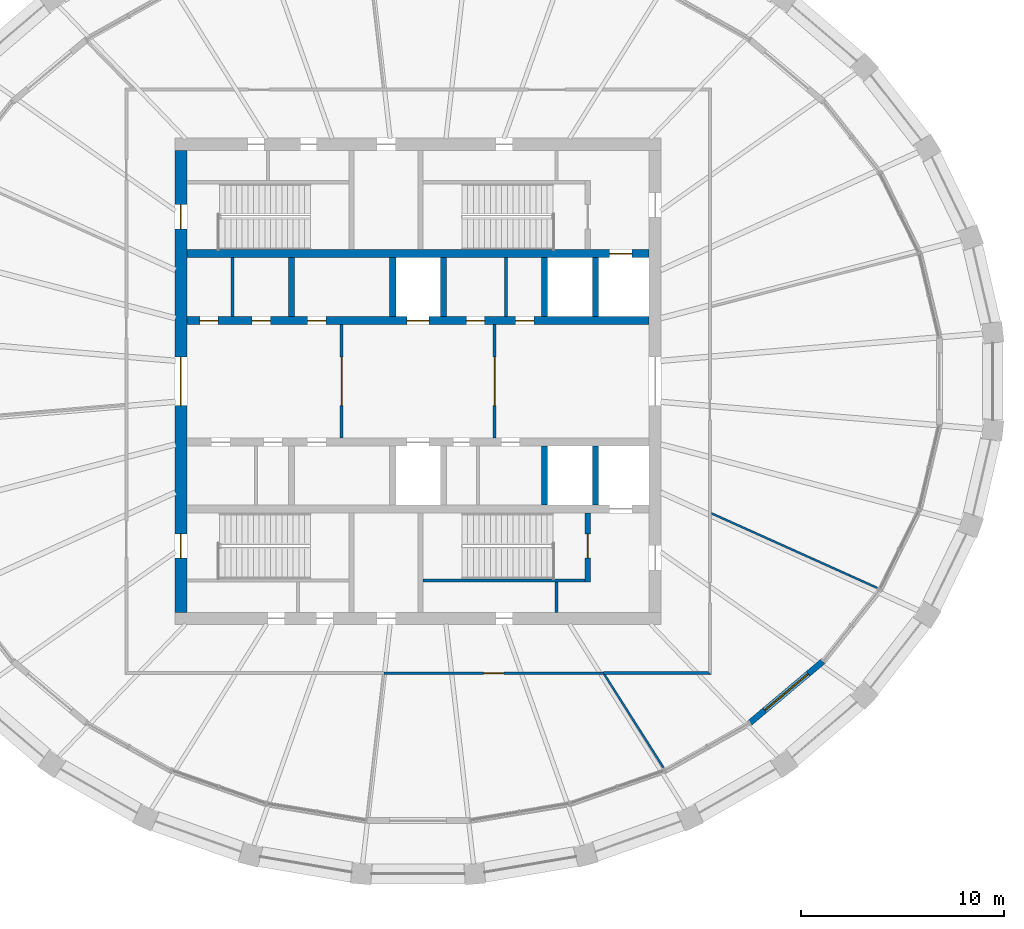
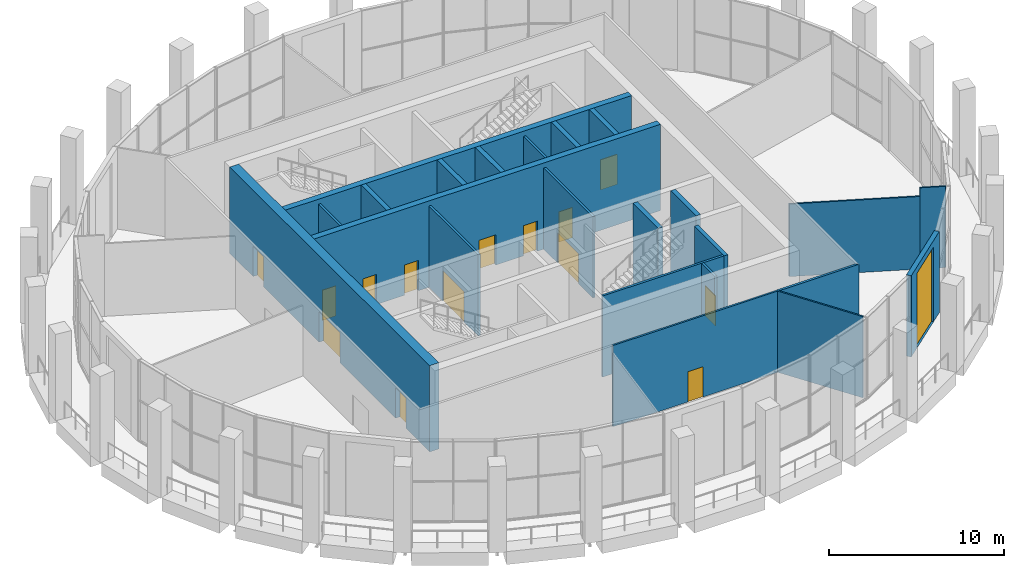
# One storey, part 11 of 15: 23 walls, 15 doors, 15 openings.
"""IFC4 building model written with IfcOpenShell, lengths in metres."""

from ifc_helpers import new_model, si_unit, direction, frame, frame_2d, origin, place, context, subcontext, project, spatial, polyline, rectangle, outline, extrude, material, layer, layer_set, type_object, element, fill, save


model = new_model("IFC4")

# Units and contexts
model_context = context("Model", 3, precision=1e-05, world=origin(), true_north=direction((0.0, 1.0)))
body_context = subcontext(model_context, "Body", "Model", "MODEL_VIEW")
ifc_project = project(units=[si_unit("LENGTHUNIT", "METRE"), si_unit("AREAUNIT", "SQUARE_METRE"), si_unit("VOLUMEUNIT", "CUBIC_METRE"), si_unit("PLANEANGLEUNIT", "RADIAN"), si_unit("MASSUNIT", "GRAM", prefix="KILO")], contexts=[model_context])

# Site, building, storey
site_placement = place(None, origin())
site = spatial("IfcSite", under=ifc_project, at=site_placement, CompositionType="ELEMENT")
building_placement = place(site_placement, origin())
building = spatial("IfcBuilding", under=site, at=building_placement, Name="Halqa Exchange Tower", CompositionType="ELEMENT")
storey_placement = place(building_placement, frame((0.0, 0.0, 343.300048828125)))
storey = spatial("IfcBuildingStorey", under=building, at=storey_placement, Name="L80", CompositionType="ELEMENT", Elevation=343.300048828125)

# Wall
ifc_material_1 = material(Name="Fire-rated gypsum board")
ifc_layer_1 = layer(ifc_material_1, 0.14990234375)
ifc_layer_set_1 = layer_set([ifc_layer_1], Name="Fire-rated gypsum board")
wall_type_1 = type_object("IfcWallType", Name="Fire partition EI 60 150", PredefinedType="PARTITIONING", material=ifc_layer_set_1)
wall_1_placement = place(storey_placement, frame((14.47509765625, -14.39990234375, 0.0), z_axis=(0.0, 0.0, 1.0), x_axis=(-1.0, 0.0, 0.0)))
element("IfcWall", 1, at=wall_1_placement, inside=storey, type_object=wall_type_1, Name="L80-PWL-011", PredefinedType="PARTITIONING", context=body_context, shape_type="SweptSolid", body=[
    extrude(outline(polyline([(5.3251953125, 0.074951171875), (3.55029296875, 0.074951171875), (1.775146484375, 0.074951171875), (0.000244140625, 0.074951171875), (0.150146484375, -0.074951171875), (1.875244140625, -0.074951171875), (3.60009765625, -0.074951171875), (5.3251953125, -0.074951171875), (5.3251953125, 0.074951171875)])), origin(), (0.0, 0.0, 1.0), 5.64990234375),
])

# Wall, opening, door
ifc_material_2 = material(Name="Fire-rated glazing", Category="glass")
ifc_layer_2 = layer(ifc_material_2, 0.1201171875)
ifc_layer_set_2 = layer_set([ifc_layer_2], Name="Fire-rated glazing")
wall_type_2 = type_object("IfcWallType", Name="Glazed fire partition EI 60 120", PredefinedType="PARTITIONING", material=ifc_layer_set_2)
wall_2_placement = place(storey_placement, frame((9.14990234375, -14.39990234375, 0.0), z_axis=(0.0, 0.0, 1.0), x_axis=(-1.0, 0.0, 0.0)))
wall_2 = element("IfcWall", 2, at=wall_2_placement, inside=storey, type_object=wall_type_2, Name="L80-PWL-009", PredefinedType="PARTITIONING", context=body_context, shape_type="SweptSolid", body=[
    extrude(rectangle(XDim=10.83984375, YDim=0.1201171875, at=frame_2d((5.419921875, 0.0))), origin(), (0.0, 0.0, 1.0), 5.64990234375),
])
opening_1_placement = place(wall_2_placement, frame((4.919921875, 0.0, 0.0)))
opening_1 = element("IfcOpeningElement", 3, at=opening_1_placement, cuts=wall_2, Name="Opening L80-06", PredefinedType="OPENING", context=body_context, shape_type="SweptSolid", body=[
    extrude(rectangle(XDim=1.0, YDim=2.10009765625, at=frame_2d((0.5, 1.050048828125))), frame((0.0, 0.072021484375, 0.0), z_axis=(0.0, -1.0, 0.0), x_axis=(1.0, 0.0, 0.0)), (0.0, 0.0, 1.0), 0.14404296875),
])
ifc_material_3 = material(Name="Steel fire door leaf", Category="steel")
door_type_1 = type_object("IfcDoorType", Name="Fire door FD30S 1000 x 2100", OperationType="SINGLE_SWING_LEFT", PredefinedType="DOOR", material=ifc_material_3)
door_1_placement = place(opening_1_placement, origin())
door_1 = element("IfcDoor", 4, at=door_1_placement, inside=storey, type_object=door_type_1, Name="L80-IDR-006", OperationType="SINGLE_SWING_LEFT", OverallHeight=2.10009765625, OverallWidth=1.0, PredefinedType="DOOR", context=body_context, shape_type="SweptSolid", body=[
    extrude(rectangle(XDim=1.0, YDim=2.10009765625, at=frame_2d((0.5, 1.050048828125))), frame((0.0, 0.02490234375, 0.0), z_axis=(0.0, -1.0, 0.0), x_axis=(1.0, 0.0, 0.0)), (0.0, 0.0, 1.0), 0.050048828125),
])
fill(opening_1, door_1)

# Walls
ifc_material_4 = material(Name="Gypsum board")
ifc_layer_3 = layer(ifc_material_4, 0.10009765625)
ifc_layer_set_3 = layer_set([ifc_layer_3], Name="Gypsum board")
wall_type_3 = type_object("IfcWallType", Name="Partition 100 gypsum", PredefinedType="PARTITIONING", material=ifc_layer_set_3)
wall_3_placement = place(storey_placement, frame((9.171142578125, -14.433349609375, 0.0), z_axis=(0.0, 0.0, 1.0), x_axis=(0.535999066998, -0.844218573698, 0.0)))
element("IfcWall", 5, at=wall_3_placement, inside=storey, type_object=wall_type_3, Name="L80-PWL-010", PredefinedType="PARTITIONING", context=body_context, shape_type="SweptSolid", body=[
    extrude(outline(polyline([(5.4814453125, 0.050048828125), (3.681396484375, 0.050048828125), (1.881103515625, 0.050048828125), (0.0810546875, 0.050048828125), (0.02392578125, -0.040283203125), (0.01123046875, -0.0322265625), (0.0, -0.0498046875), (0.0, -0.050048828125), (1.8271484375, -0.050048828125), (3.654296875, -0.050048828125), (5.4814453125, -0.050048828125), (5.4814453125, 0.050048828125)])), origin(), (0.0, 0.0, 1.0), 5.64990234375),
])
wall_4_placement = place(storey_placement, frame((14.45458984375, -6.504638671875, 0.0), z_axis=(0.0, 0.0, 1.0), x_axis=(0.912053465354, -0.410071306403, 0.0)))
element("IfcWall", 6, at=wall_4_placement, inside=storey, type_object=wall_type_3, Name="L80-PWL-013", PredefinedType="PARTITIONING", context=body_context, shape_type="SweptSolid", body=[
    extrude(outline(polyline([(0.0, 0.050048828125), (0.0, 0.0498046875), (0.044921875, -0.050048828125), (1.910888671875, -0.050048828125), (3.777099609375, -0.050048828125), (5.64306640625, -0.050048828125), (7.50927734375, -0.050048828125), (7.50927734375, 0.050048828125), (5.6318359375, 0.050048828125), (3.754638671875, 0.050048828125), (1.87744140625, 0.050048828125), (0.0, 0.050048828125)])), origin(), (0.0, 0.0, 1.0), 5.050048828125),
])
wall_5_placement = place(storey_placement, frame((21.303466796875, -9.583984375, 0.0), z_axis=(0.0, 0.0, 1.0), x_axis=(0.911976522447, -0.410242394816, 0.0)))
element("IfcWall", 7, at=wall_5_placement, inside=storey, type_object=wall_type_3, Name="L80-PWL-016", PredefinedType="PARTITIONING", context=body_context, shape_type="SweptSolid", body=[
    extrude(outline(polyline([(0.0, -0.050048828125), (1.480224609375, -0.050048828125), (1.492919921875, 0.000732421875), (1.494384765625, 0.040771484375), (1.494384765625, 0.050048828125), (0.0, 0.050048828125), (0.0, -0.050048828125)])), origin(), (0.0, 0.0, 1.0), 5.64990234375),
])
ifc_layer_4 = layer(ifc_material_4, 0.14990234375)
ifc_layer_set_4 = layer_set([ifc_layer_4], Name="Gypsum board")
wall_type_4 = type_object("IfcWallType", Name="Penthouse riser wall 150 gypsum", PredefinedType="PARTITIONING", material=ifc_layer_set_4)
wall_6_placement = place(storey_placement, frame((6.824951171875, -11.39990234375, 0.0), z_axis=(0.0, 0.0, 1.0), x_axis=(0.0, 1.0, 0.0)))
element("IfcWall", 8, at=wall_6_placement, inside=storey, type_object=wall_type_4, Name="Firefighting lobby west wall S", PredefinedType="PARTITIONING", context=body_context, shape_type="SweptSolid", body=[
    extrude(rectangle(XDim=1.5, YDim=0.14990234375, at=frame_2d((0.75, 0.0))), origin(), (0.0, 0.0, 1.0), 5.64990234375),
])
for number, where, z_axis, x_axis, name in (
    (9, (4.35009765625, 3.199951171875, 0.0), (0.0, 0.0, 1.0), (0.0, 1.0, 0.0), "Freed bay partition NE4.350"),
    (10, (-9.14990234375, 3.199951171875, 0.0), (0.0, 0.0, 1.0), (0.0, 1.0, 0.0), "Freed bay partition NW9.150"),
):
    element("IfcWall", number, at=place(storey_placement, frame(where, z_axis=z_axis, x_axis=x_axis)), inside=storey, type_object=wall_type_4, Name=name, PredefinedType="PARTITIONING", context=body_context, shape_type="SweptSolid", body=[
        extrude(rectangle(XDim=2.900146484375, YDim=0.14990234375, at=frame_2d((1.4501953125, 0.0))), origin(), (0.0, 0.0, 1.0), 5.64990234375),
    ])

# Wall, opening, door
wall_7_placement = place(storey_placement, frame((-3.77490234375, -2.800048828125, 0.0), z_axis=(0.0, 0.0, 1.0), x_axis=(0.0, 1.0, 0.0)))
wall_7 = element("IfcWall", 11, at=wall_7_placement, inside=storey, type_object=wall_type_4, Name="Observation lobby partition west", PredefinedType="PARTITIONING", context=body_context, shape_type="SweptSolid", body=[
    extrude(rectangle(XDim=5.60009765625, YDim=0.14990234375, at=frame_2d((2.800048828125, 0.0))), origin(), (0.0, 0.0, 1.0), 5.64990234375),
])
opening_2_placement = place(wall_7_placement, frame((1.60009765625, 0.0, 0.0)))
opening_2 = element("IfcOpeningElement", 12, at=opening_2_placement, cuts=wall_7, Name="Opening L80-C07", PredefinedType="OPENING", context=body_context, shape_type="SweptSolid", body=[
    extrude(rectangle(XDim=2.39990234375, YDim=2.10009765625, at=frame_2d((1.199951171875, 1.050048828125))), frame((0.0, 0.0869140625, 0.0), z_axis=(0.0, -1.0, 0.0), x_axis=(1.0, 0.0, 0.0)), (0.0, 0.0, 1.0), 0.173828125),
])
door_type_2 = type_object("IfcDoorType", Name="Lobby double door FD60 2400 x 2100", OperationType="DOUBLE_DOOR_SINGLE_SWING", PredefinedType="DOOR", material=ifc_material_3)
door_2_placement = place(opening_2_placement, frame((2.39990234375, 0.0, 0.0), z_axis=(0.0, 0.0, 1.0), x_axis=(-1.0, 0.0, 0.0)))
door_2 = element("IfcDoor", 13, at=door_2_placement, inside=storey, type_object=door_type_2, Name="Lift lobby double door", OperationType="DOUBLE_DOOR_SINGLE_SWING", OverallHeight=2.10009765625, OverallWidth=2.39990234375, PredefinedType="DOOR", context=body_context, shape_type="SweptSolid", body=[
    extrude(rectangle(XDim=2.39990234375, YDim=2.10009765625, at=frame_2d((1.199951171875, 1.050048828125))), frame((0.0, 0.02490234375, 0.0), z_axis=(0.0, -1.0, 0.0), x_axis=(1.0, 0.0, 0.0)), (0.0, 0.0, 1.0), 0.050048828125),
])
fill(opening_2, door_2)

wall_8_placement = place(storey_placement, frame((3.77490234375, -2.800048828125, 0.0), z_axis=(0.0, 0.0, 1.0), x_axis=(0.0, 1.0, 0.0)))
wall_8 = element("IfcWall", 14, at=wall_8_placement, inside=storey, type_object=wall_type_4, Name="Observation lobby partition east", PredefinedType="PARTITIONING", context=body_context, shape_type="SweptSolid", body=[
    extrude(rectangle(XDim=5.60009765625, YDim=0.14990234375, at=frame_2d((2.800048828125, 0.0))), origin(), (0.0, 0.0, 1.0), 5.64990234375),
])
opening_3_placement = place(wall_8_placement, frame((1.60009765625, 0.0, 0.0)))
opening_3 = element("IfcOpeningElement", 15, at=opening_3_placement, cuts=wall_8, Name="Opening L80-C08", PredefinedType="OPENING", context=body_context, shape_type="SweptSolid", body=[
    extrude(rectangle(XDim=2.39990234375, YDim=2.10009765625, at=frame_2d((1.199951171875, 1.050048828125))), frame((0.0, 0.0869140625, 0.0), z_axis=(0.0, -1.0, 0.0), x_axis=(1.0, 0.0, 0.0)), (0.0, 0.0, 1.0), 0.173828125),
])
door_3_placement = place(opening_3_placement, origin())
door_3 = element("IfcDoor", 16, at=door_3_placement, inside=storey, type_object=door_type_2, Name="Lift lobby double door", OperationType="DOUBLE_DOOR_SINGLE_SWING", OverallHeight=2.10009765625, OverallWidth=2.39990234375, PredefinedType="DOOR", context=body_context, shape_type="SweptSolid", body=[
    extrude(rectangle(XDim=2.39990234375, YDim=2.10009765625, at=frame_2d((1.199951171875, 1.050048828125))), frame((0.0, 0.02490234375, 0.0), z_axis=(0.0, -1.0, 0.0), x_axis=(1.0, 0.0, 0.0)), (0.0, 0.0, 1.0), 0.050048828125),
])
fill(opening_3, door_3)

# Walls
ifc_material_5 = material(Name="Concrete C60/75", Category="concrete")
ifc_layer_5 = layer(ifc_material_5, 0.300048828125)
ifc_layer_set_5 = layer_set([ifc_layer_5], Name="Concrete C60/75")
wall_type_5 = type_object("IfcWallType", Name="RC core wall 300", PredefinedType="SHEAR", material=ifc_layer_set_5)
for number, where, z_axis, x_axis, name in (
    (17, (-6.25, 3.199951171875, 0.0), (0.0, 0.0, 1.0), (0.0, 1.0, 0.0), "Shaft divider N2"),
    (18, (-1.25, 3.199951171875, 0.0), (0.0, 0.0, 1.0), (0.0, 1.0, 0.0), "Shaft divider N4"),
    (19, (1.25, 3.199951171875, 0.0), (0.0, 0.0, 1.0), (0.0, 1.0, 0.0), "Shaft divider N5"),
    (20, (6.25, 3.199951171875, 0.0), (0.0, 0.0, 1.0), (0.0, 1.0, 0.0), "Shaft divider N7"),
    (21, (8.75, 3.199951171875, 0.0), (0.0, 0.0, 1.0), (0.0, 1.0, 0.0), "Shaft divider N8"),
    (22, (6.25, -6.10009765625, 0.0), (0.0, 0.0, 1.0), (0.0, 1.0, 0.0), "Shaft divider S7"),
    (23, (8.75, -6.10009765625, 0.0), (0.0, 0.0, 1.0), (0.0, 1.0, 0.0), "Shaft divider S8"),
):
    element("IfcWall", number, at=place(storey_placement, frame(where, z_axis=z_axis, x_axis=x_axis)), inside=storey, type_object=wall_type_5, Name=name, PredefinedType="SHEAR", context=body_context, shape_type="SweptSolid", body=[
        extrude(rectangle(XDim=2.900146484375, YDim=0.300048828125, at=frame_2d((1.4501953125, 0.0))), origin(), (0.0, 0.0, 1.0), 6.0),
    ])

# Wall, openings, doors
ifc_layer_6 = layer(ifc_material_5, 0.39990234375)
ifc_layer_set_6 = layer_set([ifc_layer_6], Name="Concrete C60/75")
wall_type_6 = type_object("IfcWallType", Name="RC core wall 400 C60/75", PredefinedType="SHEAR", material=ifc_layer_set_6)
wall_9_placement = place(storey_placement, frame((-11.39990234375, 3.0, 0.0), z_axis=(0.0, 0.0, 1.0), x_axis=(1.0, 0.0, 0.0)))
wall_9 = element("IfcWall", 24, at=wall_9_placement, inside=storey, type_object=wall_type_6, Name="Lift row front wall N", PredefinedType="SHEAR", context=body_context, shape_type="SweptSolid", body=[
    extrude(rectangle(XDim=22.7998046875, YDim=0.39990234375, at=frame_2d((11.39990234375, 0.0))), origin(), (0.0, 0.0, 1.0), 6.0),
])
opening_4_placement = place(wall_9_placement, frame((10.85009765625, 0.0, 0.0)))
opening_4 = element("IfcOpeningElement", 25, at=opening_4_placement, cuts=wall_9, Name="Opening LD-OB1-L80", PredefinedType="OPENING", context=body_context, shape_type="SweptSolid", body=[
    extrude(rectangle(XDim=1.10009765625, YDim=2.10009765625, at=frame_2d((0.550048828125, 1.050048828125))), frame((0.0, 0.2119140625, 0.0), z_axis=(0.0, -1.0, 0.0), x_axis=(1.0, 0.0, 0.0)), (0.0, 0.0, 1.0), 0.423828125),
])
opening_5_placement = place(wall_9_placement, frame((13.78759765625, 0.0, 0.0)))
opening_5 = element("IfcOpeningElement", 26, at=opening_5_placement, cuts=wall_9, Name="Opening L80-C23", PredefinedType="OPENING", context=body_context, shape_type="SweptSolid", body=[
    extrude(rectangle(XDim=0.89990234375, YDim=2.10009765625, at=frame_2d((0.449951171875, 1.050048828125))), frame((0.0, 0.2119140625, 0.0), z_axis=(0.0, -1.0, 0.0), x_axis=(1.0, 0.0, 0.0)), (0.0, 0.0, 1.0), 0.423828125),
])
opening_6_placement = place(wall_9_placement, frame((16.21240234375, 0.0, 0.0)))
opening_6 = element("IfcOpeningElement", 27, at=opening_6_placement, cuts=wall_9, Name="Opening L80-C24", PredefinedType="OPENING", context=body_context, shape_type="SweptSolid", body=[
    extrude(rectangle(XDim=0.89990234375, YDim=2.10009765625, at=frame_2d((0.449951171875, 1.050048828125))), frame((0.0, 0.2119140625, 0.0), z_axis=(0.0, -1.0, 0.0), x_axis=(1.0, 0.0, 0.0)), (0.0, 0.0, 1.0), 0.423828125),
])
opening_7_placement = place(wall_9_placement, frame((5.949951171875, 0.0, 0.0)))
opening_7 = element("IfcOpeningElement", 28, at=opening_7_placement, cuts=wall_9, Name="Opening L80-C25", PredefinedType="OPENING", context=body_context, shape_type="SweptSolid", body=[
    extrude(rectangle(XDim=0.89990234375, YDim=2.10009765625, at=frame_2d((0.449951171875, 1.050048828125))), frame((0.0, 0.2119140625, 0.0), z_axis=(0.0, -1.0, 0.0), x_axis=(1.0, 0.0, 0.0)), (0.0, 0.0, 1.0), 0.423828125),
])
opening_8_placement = place(wall_9_placement, frame((0.637451171875, 0.0, 0.0)))
opening_8 = element("IfcOpeningElement", 29, at=opening_8_placement, cuts=wall_9, Name="Opening L80-C26", PredefinedType="OPENING", context=body_context, shape_type="SweptSolid", body=[
    extrude(rectangle(XDim=0.89990234375, YDim=2.10009765625, at=frame_2d((0.449951171875, 1.050048828125))), frame((0.0, 0.2119140625, 0.0), z_axis=(0.0, -1.0, 0.0), x_axis=(1.0, 0.0, 0.0)), (0.0, 0.0, 1.0), 0.423828125),
])
opening_9_placement = place(wall_9_placement, frame((3.21240234375, 0.0, 0.0)))
opening_9 = element("IfcOpeningElement", 30, at=opening_9_placement, cuts=wall_9, Name="Opening L80-C27", PredefinedType="OPENING", context=body_context, shape_type="SweptSolid", body=[
    extrude(rectangle(XDim=0.89990234375, YDim=2.10009765625, at=frame_2d((0.449951171875, 1.050048828125))), frame((0.0, 0.2119140625, 0.0), z_axis=(0.0, -1.0, 0.0), x_axis=(1.0, 0.0, 0.0)), (0.0, 0.0, 1.0), 0.423828125),
])
ifc_material_6 = material(Name="Timber fire door leaf", Category="wood")
door_type_3 = type_object("IfcDoorType", Name="Core room door FD30 900 x 2100", OperationType="SINGLE_SWING_LEFT", PredefinedType="DOOR", material=ifc_material_6)
door_4_placement = place(opening_5_placement, origin())
door_4 = element("IfcDoor", 31, at=door_4_placement, inside=storey, type_object=door_type_3, Name="Core room door", OperationType="SINGLE_SWING_RIGHT", OverallHeight=2.10009765625, OverallWidth=0.89990234375, PredefinedType="DOOR", context=body_context, shape_type="SweptSolid", body=[
    extrude(rectangle(XDim=0.89990234375, YDim=2.10009765625, at=frame_2d((0.449951171875, 1.050048828125))), frame((0.0, 0.02490234375, 0.0), z_axis=(0.0, -1.0, 0.0), x_axis=(1.0, 0.0, 0.0)), (0.0, 0.0, 1.0), 0.050048828125),
])
fill(opening_5, door_4)
door_5_placement = place(opening_6_placement, origin())
door_5 = element("IfcDoor", 32, at=door_5_placement, inside=storey, type_object=door_type_3, Name="Core room door", OperationType="SINGLE_SWING_LEFT", OverallHeight=2.10009765625, OverallWidth=0.89990234375, PredefinedType="DOOR", context=body_context, shape_type="SweptSolid", body=[
    extrude(rectangle(XDim=0.89990234375, YDim=2.10009765625, at=frame_2d((0.449951171875, 1.050048828125))), frame((0.0, 0.02490234375, 0.0), z_axis=(0.0, -1.0, 0.0), x_axis=(1.0, 0.0, 0.0)), (0.0, 0.0, 1.0), 0.050048828125),
])
fill(opening_6, door_5)
door_6_placement = place(opening_7_placement, origin())
door_6 = element("IfcDoor", 33, at=door_6_placement, inside=storey, type_object=door_type_3, Name="Core room door", OperationType="SINGLE_SWING_RIGHT", OverallHeight=2.10009765625, OverallWidth=0.89990234375, PredefinedType="DOOR", context=body_context, shape_type="SweptSolid", body=[
    extrude(rectangle(XDim=0.89990234375, YDim=2.10009765625, at=frame_2d((0.449951171875, 1.050048828125))), frame((0.0, 0.02490234375, 0.0), z_axis=(0.0, -1.0, 0.0), x_axis=(1.0, 0.0, 0.0)), (0.0, 0.0, 1.0), 0.050048828125),
])
fill(opening_7, door_6)
door_7_placement = place(opening_8_placement, origin())
door_7 = element("IfcDoor", 34, at=door_7_placement, inside=storey, type_object=door_type_3, Name="Core room door", OperationType="SINGLE_SWING_LEFT", OverallHeight=2.10009765625, OverallWidth=0.89990234375, PredefinedType="DOOR", context=body_context, shape_type="SweptSolid", body=[
    extrude(rectangle(XDim=0.89990234375, YDim=2.10009765625, at=frame_2d((0.449951171875, 1.050048828125))), frame((0.0, 0.02490234375, 0.0), z_axis=(0.0, -1.0, 0.0), x_axis=(1.0, 0.0, 0.0)), (0.0, 0.0, 1.0), 0.050048828125),
])
fill(opening_8, door_7)
door_8_placement = place(opening_9_placement, origin())
door_8 = element("IfcDoor", 35, at=door_8_placement, inside=storey, type_object=door_type_3, Name="Core room door", OperationType="SINGLE_SWING_LEFT", OverallHeight=2.10009765625, OverallWidth=0.89990234375, PredefinedType="DOOR", context=body_context, shape_type="SweptSolid", body=[
    extrude(rectangle(XDim=0.89990234375, YDim=2.10009765625, at=frame_2d((0.449951171875, 1.050048828125))), frame((0.0, 0.02490234375, 0.0), z_axis=(0.0, -1.0, 0.0), x_axis=(1.0, 0.0, 0.0)), (0.0, 0.0, 1.0), 0.050048828125),
])
fill(opening_9, door_8)
ifc_material_7 = material(Name="Stainless steel", Category="steel")
door_type_4 = type_object("IfcDoorType", Name="Lift landing door 1100 x 2100", OperationType="SLIDING_TO_LEFT", PredefinedType="DOOR", material=ifc_material_7)
door_9_placement = place(opening_4_placement, origin())
door_9 = element("IfcDoor", 36, at=door_9_placement, inside=storey, type_object=door_type_4, Name="Lift landing door OB1", OperationType="SLIDING_TO_LEFT", OverallHeight=2.10009765625, OverallWidth=1.10009765625, PredefinedType="DOOR", context=body_context, shape_type="SweptSolid", body=[
    extrude(rectangle(XDim=1.10009765625, YDim=2.10009765625, at=frame_2d((0.550048828125, 1.050048828125))), frame((0.0, 0.02490234375, 0.0), z_axis=(0.0, -1.0, 0.0), x_axis=(1.0, 0.0, 0.0)), (0.0, 0.0, 1.0), 0.050048828125),
])
fill(opening_4, door_9)

# Wall, opening, door
wall_10_placement = place(storey_placement, frame((-11.39990234375, 6.300048828125, 0.0), z_axis=(0.0, 0.0, 1.0), x_axis=(1.0, 0.0, 0.0)))
wall_10 = element("IfcWall", 37, at=wall_10_placement, inside=storey, type_object=wall_type_6, Name="Lift row back wall N", PredefinedType="SHEAR", context=body_context, shape_type="SweptSolid", body=[
    extrude(rectangle(XDim=22.7998046875, YDim=0.39990234375, at=frame_2d((11.39990234375, 0.0))), origin(), (0.0, 0.0, 1.0), 6.0),
])
opening_10_placement = place(wall_10_placement, frame((20.85009765625, 0.0, 0.0)))
opening_10 = element("IfcOpeningElement", 38, at=opening_10_placement, cuts=wall_10, Name="Opening LD-FF1-L80", PredefinedType="OPENING", context=body_context, shape_type="SweptSolid", body=[
    extrude(rectangle(XDim=1.10009765625, YDim=2.10009765625, at=frame_2d((0.550048828125, 1.050048828125))), frame((0.0, 0.2119140625, 0.0), z_axis=(0.0, -1.0, 0.0), x_axis=(1.0, 0.0, 0.0)), (0.0, 0.0, 1.0), 0.423828125),
])
door_10_placement = place(opening_10_placement, origin())
door_10 = element("IfcDoor", 39, at=door_10_placement, inside=storey, type_object=door_type_4, Name="Lift landing door FF1", OperationType="SLIDING_TO_LEFT", OverallHeight=2.10009765625, OverallWidth=1.10009765625, PredefinedType="DOOR", context=body_context, shape_type="SweptSolid", body=[
    extrude(rectangle(XDim=1.10009765625, YDim=2.10009765625, at=frame_2d((0.550048828125, 1.050048828125))), frame((0.0, 0.02490234375, 0.0), z_axis=(0.0, -1.0, 0.0), x_axis=(1.0, 0.0, 0.0)), (0.0, 0.0, 1.0), 0.050048828125),
])
fill(opening_10, door_10)

# Wall, openings, doors
ifc_layer_7 = layer(ifc_material_5, 0.60009765625)
ifc_layer_set_7 = layer_set([ifc_layer_7], Name="Concrete C60/75")
wall_type_7 = type_object("IfcWallType", Name="RC core wall 600 C60/75", PredefinedType="SHEAR", material=ifc_layer_set_7)
wall_11_placement = place(storey_placement, frame((-11.699951171875, -11.39990234375, 0.0), z_axis=(0.0, 0.0, 1.0), x_axis=(0.0, 1.0, 0.0)))
wall_11 = element("IfcWall", 40, at=wall_11_placement, inside=storey, type_object=wall_type_7, Name="Core wall west", PredefinedType="SHEAR", context=body_context, shape_type="SweptSolid", body=[
    extrude(rectangle(XDim=22.7998046875, YDim=0.60009765625, at=frame_2d((11.39990234375, 0.0))), origin(), (0.0, 0.0, 1.0), 6.0),
])
opening_11_placement = place(wall_11_placement, frame((10.199951171875, 0.0, 0.0)))
opening_11 = element("IfcOpeningElement", 41, at=opening_11_placement, cuts=wall_11, Name="Opening L80-C05", PredefinedType="OPENING", context=body_context, shape_type="SweptSolid", body=[
    extrude(rectangle(XDim=2.39990234375, YDim=2.10009765625, at=frame_2d((1.199951171875, 1.050048828125))), frame((0.0, 0.31201171875, 0.0), z_axis=(0.0, -1.0, 0.0), x_axis=(1.0, 0.0, 0.0)), (0.0, 0.0, 1.0), 0.6240234375),
])
opening_12_placement = place(wall_11_placement, frame((18.925048828125, 0.0, 0.0)))
opening_12 = element("IfcOpeningElement", 42, at=opening_12_placement, cuts=wall_11, Name="Opening L80-C09", PredefinedType="OPENING", context=body_context, shape_type="SweptSolid", body=[
    extrude(rectangle(XDim=1.199951171875, YDim=2.10009765625, at=frame_2d((0.60009765625, 1.050048828125))), frame((0.0, 0.31201171875, 0.0), z_axis=(0.0, -1.0, 0.0), x_axis=(1.0, 0.0, 0.0)), (0.0, 0.0, 1.0), 0.6240234375),
])
opening_13_placement = place(wall_11_placement, frame((2.675048828125, 0.0, 0.0)))
opening_13 = element("IfcOpeningElement", 43, at=opening_13_placement, cuts=wall_11, Name="Opening L80-C11", PredefinedType="OPENING", context=body_context, shape_type="SweptSolid", body=[
    extrude(rectangle(XDim=1.199951171875, YDim=2.10009765625, at=frame_2d((0.60009765625, 1.050048828125))), frame((0.0, 0.31201171875, 0.0), z_axis=(0.0, -1.0, 0.0), x_axis=(1.0, 0.0, 0.0)), (0.0, 0.0, 1.0), 0.6240234375),
])
door_11_placement = place(opening_11_placement, frame((2.39990234375, 0.0, 0.0), z_axis=(0.0, 0.0, 1.0), x_axis=(-1.0, 0.0, 0.0)))
door_11 = element("IfcDoor", 44, at=door_11_placement, inside=storey, type_object=door_type_2, Name="Lift lobby double door", OperationType="DOUBLE_DOOR_SINGLE_SWING", OverallHeight=2.10009765625, OverallWidth=2.39990234375, PredefinedType="DOOR", context=body_context, shape_type="SweptSolid", body=[
    extrude(rectangle(XDim=2.39990234375, YDim=2.10009765625, at=frame_2d((1.199951171875, 1.050048828125))), frame((0.0, 0.02490234375, 0.0), z_axis=(0.0, -1.0, 0.0), x_axis=(1.0, 0.0, 0.0)), (0.0, 0.0, 1.0), 0.050048828125),
])
fill(opening_11, door_11)
door_type_5 = type_object("IfcDoorType", Name="Stair door FD90 1200 x 2100", OperationType="SINGLE_SWING_LEFT", PredefinedType="DOOR", material=ifc_material_3)
door_12_placement = place(opening_12_placement, frame((1.199951171875, 0.0, 0.0), z_axis=(0.0, 0.0, 1.0), x_axis=(-1.0, 0.0, 0.0)))
door_12 = element("IfcDoor", 45, at=door_12_placement, inside=storey, type_object=door_type_5, Name="Stair door ST1", OperationType="SINGLE_SWING_LEFT", OverallHeight=2.10009765625, OverallWidth=1.199951171875, PredefinedType="DOOR", context=body_context, shape_type="SweptSolid", body=[
    extrude(rectangle(XDim=1.199951171875, YDim=2.10009765625, at=frame_2d((0.60009765625, 1.050048828125))), frame((0.0, 0.02490234375, 0.0), z_axis=(0.0, -1.0, 0.0), x_axis=(1.0, 0.0, 0.0)), (0.0, 0.0, 1.0), 0.050048828125),
])
fill(opening_12, door_12)
door_13_placement = place(opening_13_placement, frame((1.199951171875, 0.0, 0.0), z_axis=(0.0, 0.0, 1.0), x_axis=(-1.0, 0.0, 0.0)))
door_13 = element("IfcDoor", 46, at=door_13_placement, inside=storey, type_object=door_type_5, Name="Stair door ST3", OperationType="SINGLE_SWING_RIGHT", OverallHeight=2.10009765625, OverallWidth=1.199951171875, PredefinedType="DOOR", context=body_context, shape_type="SweptSolid", body=[
    extrude(rectangle(XDim=1.199951171875, YDim=2.10009765625, at=frame_2d((0.60009765625, 1.050048828125))), frame((0.0, 0.02490234375, 0.0), z_axis=(0.0, -1.0, 0.0), x_axis=(1.0, 0.0, 0.0)), (0.0, 0.0, 1.0), 0.050048828125),
])
fill(opening_13, door_13)

# Wall
ifc_material_8 = material(Name="Concrete C30/37", Category="concrete")
ifc_layer_8 = layer(ifc_material_8, 0.14990234375)
ifc_layer_set_8 = layer_set([ifc_layer_8], Name="Concrete C30/37")
wall_type_8 = type_object("IfcWallType", Name="RC stair wall 150 C30/37", PredefinedType="SHEAR", material=ifc_layer_set_8)
wall_12_placement = place(storey_placement, frame((0.25, -9.824951171875, 0.0), z_axis=(0.0, 0.0, 1.0), x_axis=(1.0, 0.0, 0.0)))
element("IfcWall", 47, at=wall_12_placement, inside=storey, type_object=wall_type_8, Name="Stair ST2 north wall S", PredefinedType="SHEAR", context=body_context, shape_type="SweptSolid", body=[
    extrude(rectangle(XDim=8.0, YDim=0.14990234375, at=frame_2d((4.0, 0.0))), origin(), (0.0, 0.0, 1.0), 5.64990234375),
])

# Wall, opening, door
ifc_layer_9 = layer(ifc_material_8, 0.25)
ifc_layer_set_9 = layer_set([ifc_layer_9], Name="Concrete C30/37")
wall_type_9 = type_object("IfcWallType", Name="RC stair wall 250 C30/37", PredefinedType="SHEAR", material=ifc_layer_set_9)
wall_13_placement = place(storey_placement, frame((8.375, -9.89990234375, 0.0), z_axis=(0.0, 0.0, 1.0), x_axis=(0.0, 1.0, 0.0)))
wall_13 = element("IfcWall", 48, at=wall_13_placement, inside=storey, type_object=wall_type_9, Name="Stair ST2 east wall S", PredefinedType="SHEAR", context=body_context, shape_type="SweptSolid", body=[
    extrude(rectangle(XDim=3.39990234375, YDim=0.25, at=frame_2d((1.699951171875, 0.0))), origin(), (0.0, 0.0, 1.0), 5.64990234375),
])
opening_14_placement = place(wall_13_placement, frame((1.175048828125, 0.0, 0.0)))
opening_14 = element("IfcOpeningElement", 49, at=opening_14_placement, cuts=wall_13, Name="Opening L80-C12", PredefinedType="OPENING", context=body_context, shape_type="SweptSolid", body=[
    extrude(rectangle(XDim=1.199951171875, YDim=2.10009765625, at=frame_2d((0.60009765625, 1.050048828125))), frame((0.0, 0.136962890625, 0.0), z_axis=(0.0, -1.0, 0.0), x_axis=(1.0, 0.0, 0.0)), (0.0, 0.0, 1.0), 0.27392578125),
])
door_14_placement = place(opening_14_placement, origin())
door_14 = element("IfcDoor", 50, at=door_14_placement, inside=storey, type_object=door_type_5, Name="Stair door ST4", OperationType="SINGLE_SWING_LEFT", OverallHeight=2.10009765625, OverallWidth=1.199951171875, PredefinedType="DOOR", context=body_context, shape_type="SweptSolid", body=[
    extrude(rectangle(XDim=1.199951171875, YDim=2.10009765625, at=frame_2d((0.60009765625, 1.050048828125))), frame((0.0, 0.02490234375, 0.0), z_axis=(0.0, -1.0, 0.0), x_axis=(1.0, 0.0, 0.0)), (0.0, 0.0, 1.0), 0.050048828125),
])
fill(opening_14, door_14)

ifc_material_9 = material(Name="Limestone cladding", Category="masonry")
ifc_layer_10 = layer(ifc_material_9, 0.0400390625)
ifc_material_10 = material(Name="Ventilated cavity")
ifc_layer_11 = layer(ifc_material_10, 0.030029296875, ventilated=True)
ifc_material_11 = material(Name="Mineral wool insulation")
ifc_layer_12 = layer(ifc_material_11, 0.10009765625)
ifc_layer_13 = layer(ifc_material_8, 0.10009765625)
ifc_material_12 = material(Name="Internal plaster")
ifc_layer_14 = layer(ifc_material_12, 0.030029296875)
ifc_layer_set_10 = layer_set([ifc_layer_10, ifc_layer_11, ifc_layer_12, ifc_layer_13, ifc_layer_14], Name="Stone-faced insulated wall 300")
wall_type_10 = type_object("IfcWallType", Name="Stone-faced insulated wall 300", PredefinedType="STANDARD", material=ifc_layer_set_10)
wall_14_placement = place(storey_placement, frame((16.3896484375, -16.843017578125, 0.0), z_axis=(0.0, 0.0, 1.0), x_axis=(0.765128700347, 0.643877373344, 0.0)))
wall_14 = element("IfcWall", 51, at=wall_14_placement, inside=storey, type_object=wall_type_10, Name="Glass-line wall 28", PredefinedType="STANDARD", context=body_context, shape_type="SweptSolid", body=[
    extrude(outline(polyline([(0.0, -0.14990234375), (4.685546875, -0.14990234375), (4.685546875, 0.14990234375), (0.0, 0.14990234375), (0.0, -0.14990234375)])), origin(), (0.0, 0.0, 1.0), 5.64990234375),
])
opening_15_placement = place(wall_14_placement, frame((0.942626953125, 0.0, 0.0)))
opening_15 = element("IfcOpeningElement", 52, at=opening_15_placement, cuts=wall_14, Name="Opening LGO-F4-07", PredefinedType="OPENING", context=body_context, shape_type="SweptSolid", body=[
    extrude(rectangle(XDim=2.800048828125, YDim=5.199951171875, at=frame_2d((1.39990234375, 2.60009765625))), frame((0.0, 0.162109375, 0.0), z_axis=(0.0, -1.0, 0.0), x_axis=(1.0, 0.0, 0.0)), (0.0, 0.0, 1.0), 0.323974609375),
])
ifc_material_13 = material(Name="Clear low-emissivity glass in aluminium frame", Category="aluminium")
door_type_6 = type_object("IfcDoorType", Name="Glazed sliding balcony door 2800 x 5200", OperationType="DOUBLE_DOOR_SLIDING", PredefinedType="DOOR", material=ifc_material_13)
door_15_placement = place(opening_15_placement, origin())
door_15 = element("IfcDoor", 53, at=door_15_placement, inside=storey, type_object=door_type_6, Name="Loggia door 7", OperationType="DOUBLE_DOOR_SLIDING", OverallHeight=5.199951171875, OverallWidth=2.800048828125, PredefinedType="DOOR", context=body_context, shape_type="SweptSolid", body=[
    extrude(rectangle(XDim=2.800048828125, YDim=5.199951171875, at=frame_2d((1.39990234375, 2.60009765625))), frame((0.0, 0.02490234375, 0.0), z_axis=(0.0, -1.0, 0.0), x_axis=(1.0, 0.0, 0.0)), (0.0, 0.0, 1.0), 0.050048828125),
])
fill(opening_15, door_15)

save(model, "model.ifc")
